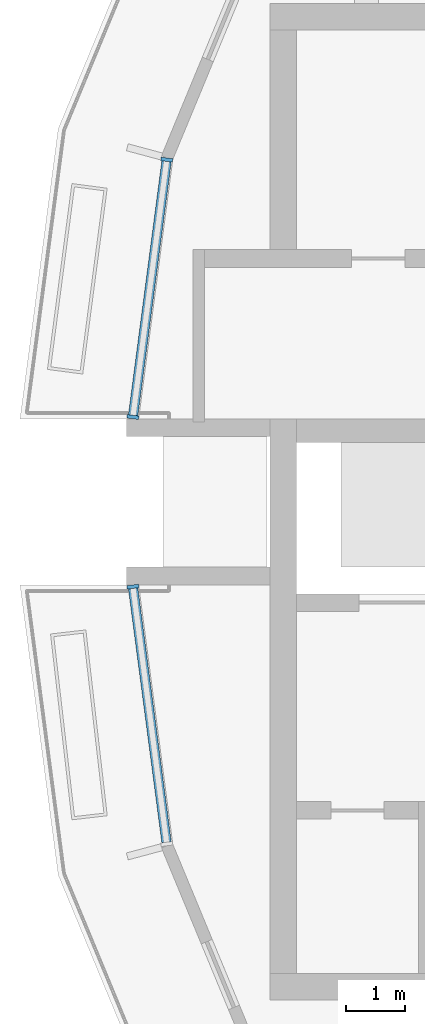
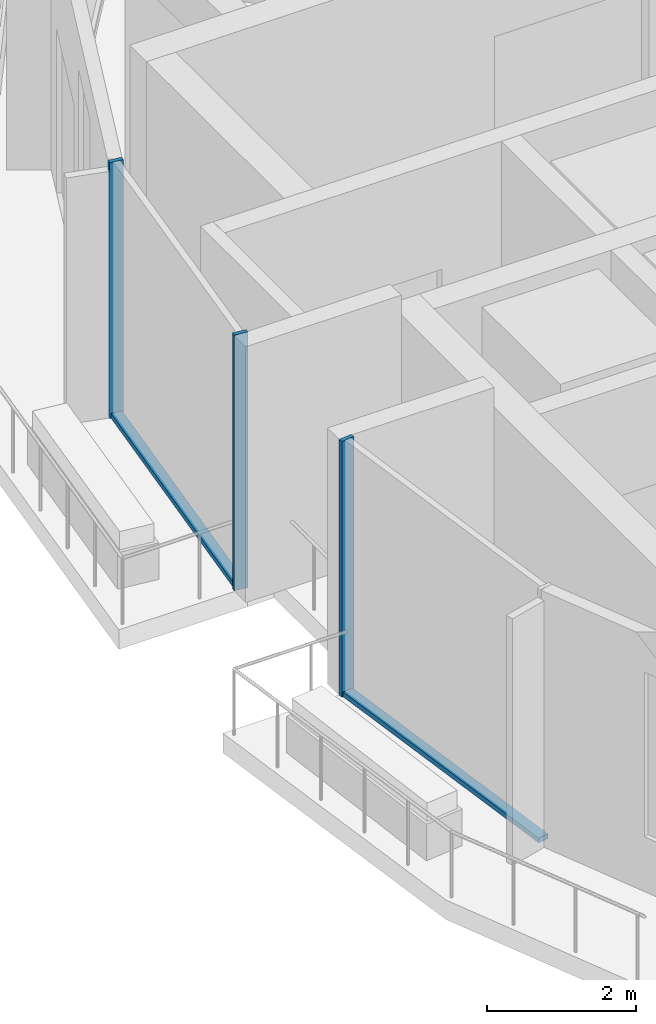
# One storey, part 3 of 16: 5 members, 2 elements without a shape of their own.
"""IFC4 building model written with IfcOpenShell, lengths in metres."""

from ifc_helpers import new_model, si_unit, direction, frame, origin, origin_2d, place, context, subcontext, project, spatial, rectangle, extrude, material, layer, layer_set, material_profile, profile_set, type_object, element, aggregate, save


model = new_model("IFC4")

# Units and contexts
model_context = context("Model", 3, precision=1e-05, world=origin(), true_north=direction((0.0, 1.0)))
body_context = subcontext(model_context, "Body", "Model", "MODEL_VIEW")
ifc_project = project(units=[si_unit("LENGTHUNIT", "METRE"), si_unit("AREAUNIT", "SQUARE_METRE"), si_unit("VOLUMEUNIT", "CUBIC_METRE"), si_unit("PLANEANGLEUNIT", "RADIAN"), si_unit("MASSUNIT", "GRAM", prefix="KILO")], contexts=[model_context])

# Site, building, storey
site_placement = place(None, origin())
site = spatial("IfcSite", under=ifc_project, at=site_placement, CompositionType="ELEMENT")
building_placement = place(site_placement, origin())
building = spatial("IfcBuilding", under=site, at=building_placement, Name="Torre Brocal", CompositionType="ELEMENT")
storey_placement = place(building_placement, frame((0.0, 0.0, 292.5)))
storey = spatial("IfcBuildingStorey", under=building, at=storey_placement, Name="L67", CompositionType="ELEMENT", Elevation=292.5)

# Curtain wall, members
ifc_material_1 = material(Name="Aluminium and glass", Category="aluminium")
ifc_layer = layer(ifc_material_1, 0.199951171875)
ifc_layer_set = layer_set([ifc_layer], Name="Aluminium and glass")
curtain_wall_type = type_object("IfcCurtainWallType", Name="CW-1B CURTAIN WALL 4200 HIGH", PredefinedType="NOTDEFINED", material=ifc_layer_set)
curtain_wall_1_placement = place(storey_placement, origin())
curtain_wall_1 = element("IfcCurtainWall", 1, at=curtain_wall_1_placement, inside=storey, type_object=curtain_wall_type, Name="CW-1B RUN 12", PredefinedType="NOTDEFINED")
ifc_material_2 = material(Name="Aluminium, dark anodised", Category="aluminium")
ifc_material_profile_1 = material_profile(ifc_material_2, rectangle(XDim=0.199951171875, YDim=0.06005859375, at=origin_2d()), Name="CW-1B MULLION 60X200")
ifc_profile_set_1 = profile_set([ifc_material_profile_1], Name="Aluminium, dark anodised")
member_type_1 = type_object("IfcMemberType", Name="CW-1B MULLION 60X200", PredefinedType="MULLION", material=ifc_profile_set_1)
member_1_placement = place(storey_placement, frame((58.360107421875, 80.767578125, 0.0), z_axis=(0.0, 0.0, 1.0), x_axis=(0.991444861374, -0.13052619222, 0.0)))
member_1 = element("IfcMember", 2, at=member_1_placement, type_object=member_type_1, Name="CW1B-5 mullion 1", PredefinedType="MULLION", context=body_context, shape_type="SweptSolid", body=[
    extrude(rectangle(XDim=0.199951171875, YDim=0.06005859375, at=origin_2d()), origin(), (0.0, 0.0, 1.0), 4.199951171875),
])
member_2_placement = place(storey_placement, frame((57.7890625, 76.4296875, 0.0), z_axis=(0.0, 0.0, 1.0), x_axis=(0.991444861374, -0.13052619222, 0.0)))
member_2 = element("IfcMember", 3, at=member_2_placement, type_object=member_type_1, Name="CW1B-5 mullion 2", PredefinedType="MULLION", context=body_context, shape_type="SweptSolid", body=[
    extrude(rectangle(XDim=0.199951171875, YDim=0.06005859375, at=origin_2d()), origin(), (0.0, 0.0, 1.0), 4.199951171875),
])

# Curtain wall, member
curtain_wall_2_placement = place(storey_placement, origin())
curtain_wall_2 = element("IfcCurtainWall", 4, at=curtain_wall_2_placement, inside=storey, type_object=curtain_wall_type, Name="CW-1B RUN 13", PredefinedType="NOTDEFINED")
member_3_placement = place(storey_placement, frame((57.7890625, 73.5703125, 0.0), z_axis=(0.0, 0.0, 1.0), x_axis=(0.991444861374, 0.13052619222, 0.0)))
member_3 = element("IfcMember", 5, at=member_3_placement, type_object=member_type_1, Name="CW1B-5 mullion 1", PredefinedType="MULLION", context=body_context, shape_type="SweptSolid", body=[
    extrude(rectangle(XDim=0.199951171875, YDim=0.06005859375, at=origin_2d()), origin(), (0.0, 0.0, 1.0), 4.199951171875),
])

# Member
ifc_material_3 = material(Name="Aluminium, dark anodised", Category="aluminium")
ifc_material_profile_2 = material_profile(ifc_material_3, rectangle(XDim=0.159912109375, YDim=0.080078125, at=origin_2d()), Name="CW-1B TRANSOM 160X80")
ifc_profile_set_2 = profile_set([ifc_material_profile_2], Name="Aluminium, dark anodised")
member_type_2 = type_object("IfcMemberType", Name="CW-1B TRANSOM 160X80", PredefinedType="USERDEFINED", material=ifc_profile_set_2)
member_4_placement = place(storey_placement, frame((58.356201171875, 80.73779296875, 0.0400390625), z_axis=(-0.130521833991, -0.991445435136, 0.0), x_axis=(0.991445435136, -0.130521833991, 0.0)))
member_4 = element("IfcMember", 6, at=member_4_placement, type_object=member_type_2, Name="CW1B-5 transom 1.1", ObjectType="TRANSOM", PredefinedType="USERDEFINED", context=body_context, shape_type="SweptSolid", body=[
    extrude(rectangle(XDim=0.159912109375, YDim=0.080078125, at=origin_2d()), origin(), (0.0, 0.0, 1.0), 4.315185546875),
])

aggregate(curtain_wall_1, [member_1, member_2, member_4])

member_5_placement = place(storey_placement, frame((57.79296875, 73.54052734375, 0.0400390625), z_axis=(0.130521833991, -0.991445435136, 0.0), x_axis=(0.991445435136, 0.130521833991, 0.0)))
member_5 = element("IfcMember", 7, at=member_5_placement, type_object=member_type_2, Name="CW1B-5 transom 1.1", ObjectType="TRANSOM", PredefinedType="USERDEFINED", context=body_context, shape_type="SweptSolid", body=[
    extrude(rectangle(XDim=0.159912109375, YDim=0.080078125, at=origin_2d()), origin(), (0.0, 0.0, 1.0), 4.315185546875),
])

aggregate(curtain_wall_2, [member_3, member_5])

save(model, "model.ifc")
